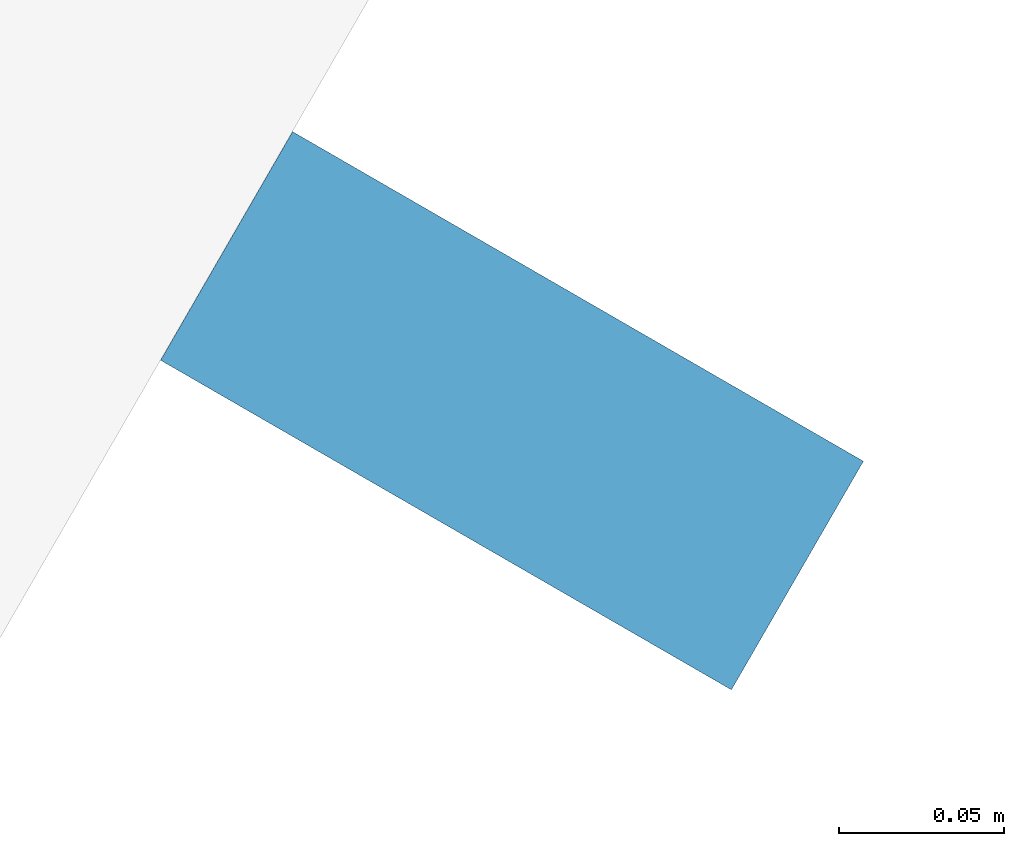
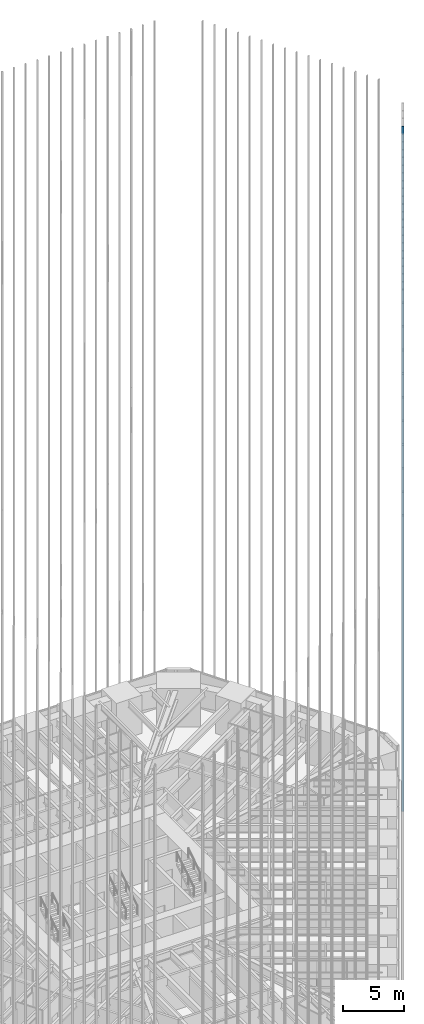
# One storey, part 130 of 256: 1 member, 1 element without a shape of its own.
"""IFC4 building model written with IfcOpenShell, lengths in metres."""

from ifc_helpers import new_model, si_unit, direction, frame, origin, origin_2d, place, context, subcontext, project, spatial, rectangle, extrude, material, material_profile, profile_set, type_object, element, aggregate, save


model = new_model("IFC4")

# Units and contexts
model_context = context("Model", 3, precision=1e-05, world=origin(), true_north=direction((0.0, 1.0)))
body_context = subcontext(model_context, "Body", "Model", "MODEL_VIEW")
ifc_project = project(units=[si_unit("LENGTHUNIT", "METRE"), si_unit("AREAUNIT", "SQUARE_METRE"), si_unit("VOLUMEUNIT", "CUBIC_METRE"), si_unit("PLANEANGLEUNIT", "RADIAN"), si_unit("MASSUNIT", "GRAM", prefix="KILO")], contexts=[model_context])

# Site, building, storey
site_placement = place(None, origin())
site = spatial("IfcSite", under=ifc_project, at=site_placement, CompositionType="ELEMENT")
building_placement = place(site_placement, origin())
building = spatial("IfcBuilding", under=site, at=building_placement, Name="Sandreach Pilgrim Tower", CompositionType="ELEMENT")
storey_placement = place(building_placement, frame((0.0, 0.0, 23.0)))
storey = spatial("IfcBuildingStorey", under=building, at=storey_placement, Name="L04", CompositionType="ELEMENT", Elevation=23.0)

# Curtain wall, member
ifc_material_1 = material(Name="Aluminium framed curtain wall", Category="aluminium")
curtain_wall_type = type_object("IfcCurtainWallType", Name="Hostel tower curtain wall", PredefinedType="NOTDEFINED", material=ifc_material_1)
curtain_wall_placement = place(storey_placement, origin())
curtain_wall = element("IfcCurtainWall", 1, at=curtain_wall_placement, inside=storey, type_object=curtain_wall_type, Name="CW-1 L04 SE", PredefinedType="NOTDEFINED")
ifc_material_2 = material(Name="Extruded terracotta on aluminium core", Category="masonry")
ifc_material_profile = material_profile(ifc_material_2, rectangle(XDim=0.080078125, YDim=0.199951171875, at=origin_2d()), Name="TBE 80X200")
ifc_profile_set = profile_set([ifc_material_profile], Name="Extruded terracotta on aluminium core")
member_type = type_object("IfcMemberType", Name="Terracotta baguette east", PredefinedType="USERDEFINED", material=ifc_profile_set)
member_placement = place(storey_placement, frame((28.82666015625, 1.23193359375, 0.0), z_axis=(0.0, 0.0, 1.0), x_axis=(-0.5, -0.866025403784, 0.0)))
member = element("IfcMember", 2, at=member_placement, type_object=member_type, Name="Baguette Z1 SE04", ObjectType="BAGUETTE", PredefinedType="USERDEFINED", context=body_context, shape_type="SweptSolid", body=[
    extrude(rectangle(XDim=0.080078125, YDim=0.199951171875, at=origin_2d()), origin(), (0.0, 0.0, 1.0), 68.239990234375),
])
aggregate(curtain_wall, [member])

save(model, "model.ifc")
